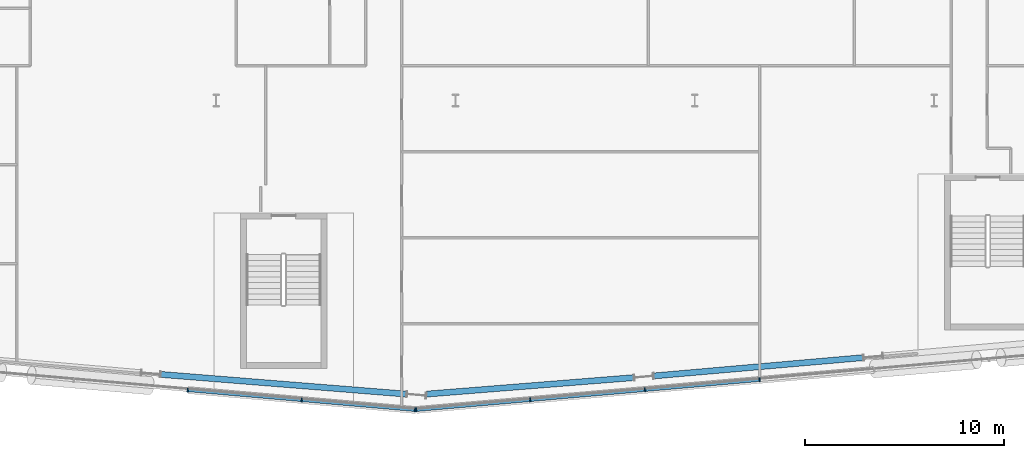
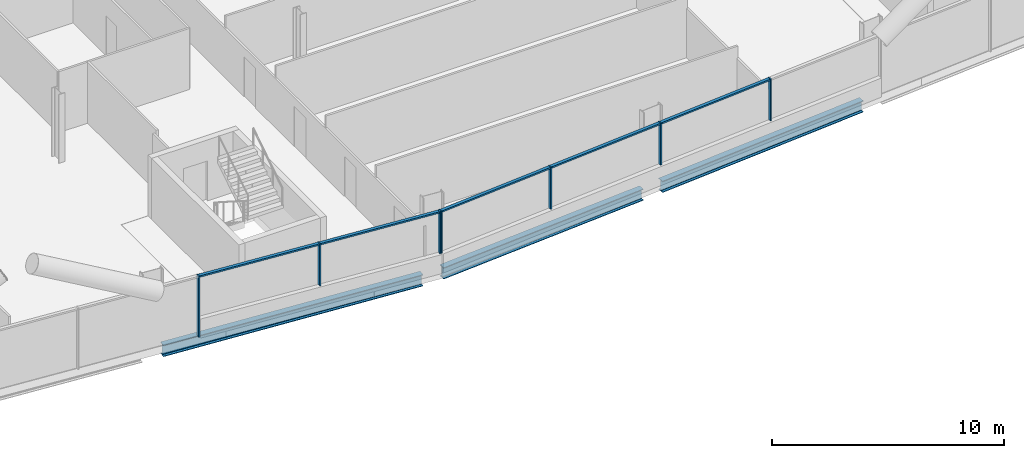
# One storey, part 6 of 27: 12 members, 3 beams, 2 elements without a shape of their own.
"""IFC4 building model written with IfcOpenShell, lengths in metres."""

from ifc_helpers import new_model, si_unit, direction, frame, origin, origin_2d, place, context, subcontext, project, spatial, rectangle, i_section, extrude, material, material_profile, profile_set, type_object, element, aggregate, save


model = new_model("IFC4")

# Units and contexts
model_context = context("Model", 3, precision=1e-05, world=origin(), true_north=direction((0.0, 1.0)))
body_context = subcontext(model_context, "Body", "Model", "MODEL_VIEW")
ifc_project = project(units=[si_unit("LENGTHUNIT", "METRE"), si_unit("AREAUNIT", "SQUARE_METRE"), si_unit("VOLUMEUNIT", "CUBIC_METRE"), si_unit("PLANEANGLEUNIT", "RADIAN"), si_unit("MASSUNIT", "GRAM", prefix="KILO")], contexts=[model_context])

# Site, building, storey
site_placement = place(None, origin())
site = spatial("IfcSite", under=ifc_project, at=site_placement, CompositionType="ELEMENT")
building_placement = place(site_placement, origin())
building = spatial("IfcBuilding", under=site, at=building_placement, Name="Wharfspan Tower", CompositionType="ELEMENT")
storey_placement = place(building_placement, frame((0.0, 0.0, 73.899902)))
storey = spatial("IfcBuildingStorey", under=building, at=storey_placement, Name="L15", CompositionType="ELEMENT", Elevation=73.899902)

# Beams
ifc_material_1 = material(Name="Steel S355J2", Category="steel")
ifc_material_profile_1 = material_profile(ifc_material_1, i_section(OverallWidth=0.300049, OverallDepth=0.600098, WebThickness=0.015381, FlangeThickness=0.030029, FilletRadius=0.0271, at=origin_2d()))
ifc_profile_set_1 = profile_set([ifc_material_profile_1], Name="Steel S355J2")
beam_type = type_object("IfcBeamType", Name="Edge beam HEB 600", PredefinedType="SPANDREL", material=ifc_profile_set_1)
beam_1_placement = place(storey_placement, frame((33.222656, -2.240479, -0.699951), z_axis=(0.996802, -0.079913, 0.0), x_axis=(0.079913, 0.996802, 0.0)))
element("IfcBeam", 1, at=beam_1_placement, inside=storey, type_object=beam_type, Name="Edge beam S1 L15 PS1.3 to PS1.4", PredefinedType="SPANDREL", context=body_context, shape_type="SweptSolid", body=[
    extrude(i_section(OverallWidth=0.300049, OverallDepth=0.600098, WebThickness=0.015381, FlangeThickness=0.030029, FilletRadius=0.0271, at=origin_2d()), origin(), (0.0, 0.0, 1.0), 12.36084),
])
beam_2_placement = place(storey_placement, frame((46.547852, -3.228027, -0.699951), z_axis=(0.996848, 0.079335, 0.0), x_axis=(-0.079335, 0.996848, 0.0)))
element("IfcBeam", 2, at=beam_2_placement, inside=storey, type_object=beam_type, Name="Edge beam S2 L15 PS1.4 to PS2.1", PredefinedType="SPANDREL", context=body_context, shape_type="SweptSolid", body=[
    extrude(i_section(OverallWidth=0.300049, OverallDepth=0.600098, WebThickness=0.015381, FlangeThickness=0.030029, FilletRadius=0.0271, at=origin_2d()), origin(), (0.0, 0.0, 1.0), 10.429199),
])
beam_3_placement = place(storey_placement, frame((57.940674, -2.317383, -0.699951), z_axis=(0.996195, 0.087155, 0.0), x_axis=(-0.087155, 0.996195, 0.0)))
element("IfcBeam", 3, at=beam_3_placement, inside=storey, type_object=beam_type, Name="Edge beam S2 L15 PS2.1 to PS2.2", PredefinedType="SPANDREL", context=body_context, shape_type="SweptSolid", body=[
    extrude(i_section(OverallWidth=0.300049, OverallDepth=0.600098, WebThickness=0.015381, FlangeThickness=0.030029, FilletRadius=0.0271, at=origin_2d()), origin(), (0.0, 0.0, 1.0), 10.543701),
])

# Curtain wall, members
ifc_material_2 = material(Name="Aluminium 6063-T6", Category="aluminium")
curtain_wall_type = type_object("IfcCurtainWallType", Name="CURTAIN WALL FACETED FRONT", PredefinedType="NOTDEFINED", material=ifc_material_2)
curtain_wall_1_placement = place(storey_placement, origin())
curtain_wall_1 = element("IfcCurtainWall", 4, at=curtain_wall_1_placement, inside=storey, type_object=curtain_wall_type, Name="Curtain wall S1", PredefinedType="NOTDEFINED")
ifc_material_profile_2 = material_profile(ifc_material_2, rectangle(XDim=0.199951, YDim=0.060059, at=origin_2d()))
ifc_profile_set_2 = profile_set([ifc_material_profile_2], Name="Aluminium 6063-T6")
member_type_1 = type_object("IfcMemberType", Name="MULLION FACETED FRONT 60x200", PredefinedType="MULLION", material=ifc_profile_set_2)
member_1_placement = place(storey_placement, frame((34.571533, -3.024658, 0.0), z_axis=(0.0, 0.0, 1.0), x_axis=(0.087156, 0.996197, 0.0)))
member_1 = element("IfcMember", 5, at=member_1_placement, type_object=member_type_1, Name="Curtain wall S1 mullion 6", PredefinedType="MULLION", context=body_context, shape_type="SweptSolid", body=[
    extrude(rectangle(XDim=0.199951, YDim=0.060059, at=origin_2d()), origin(), (0.0, 0.0, 1.0), 3.200195),
])
member_2_placement = place(storey_placement, frame((40.285645, -3.524658, 1.0), z_axis=(0.0, 0.0, 1.0), x_axis=(0.087156, 0.996197, 0.0)))
member_2 = element("IfcMember", 6, at=member_2_placement, type_object=member_type_1, Name="Curtain wall S1 mullion 7", PredefinedType="MULLION", context=body_context, shape_type="SweptSolid", body=[
    extrude(rectangle(XDim=0.199951, YDim=0.060059, at=origin_2d()), origin(), (0.0, 0.0, 1.0), 2.200195),
])
member_3_placement = place(storey_placement, frame((45.970215, -4.021973, 1.0), z_axis=(0.0, 0.0, 1.0), x_axis=(0.087156, 0.996197, 0.0)))
member_3 = element("IfcMember", 7, at=member_3_placement, type_object=member_type_1, Name="Curtain wall S1 mullion 8", PredefinedType="MULLION", context=body_context, shape_type="SweptSolid", body=[
    extrude(rectangle(XDim=0.199951, YDim=0.060059, at=origin_2d()), origin(), (0.0, 0.0, 1.0), 2.200195),
])

curtain_wall_2_placement = place(storey_placement, origin())
curtain_wall_2 = element("IfcCurtainWall", 8, at=curtain_wall_2_placement, inside=storey, type_object=curtain_wall_type, Name="Curtain wall S2", PredefinedType="NOTDEFINED")
member_4_placement = place(storey_placement, frame((46.029785, -4.021973, 1.0), z_axis=(0.0, 0.0, 1.0), x_axis=(-0.087156, 0.996197, 0.0)))
member_4 = element("IfcMember", 9, at=member_4_placement, type_object=member_type_1, Name="Curtain wall S2 mullion 1", PredefinedType="MULLION", context=body_context, shape_type="SweptSolid", body=[
    extrude(rectangle(XDim=0.199951, YDim=0.060059, at=origin_2d()), origin(), (0.0, 0.0, 1.0), 2.200195),
])
member_5_placement = place(storey_placement, frame((51.75, -3.521484, 1.0), z_axis=(0.0, 0.0, 1.0), x_axis=(-0.087156, 0.996197, 0.0)))
member_5 = element("IfcMember", 10, at=member_5_placement, type_object=member_type_1, Name="Curtain wall S2 mullion 2", PredefinedType="MULLION", context=body_context, shape_type="SweptSolid", body=[
    extrude(rectangle(XDim=0.199951, YDim=0.060059, at=origin_2d()), origin(), (0.0, 0.0, 1.0), 2.200195),
])
member_6_placement = place(storey_placement, frame((57.5, -3.018311, 1.0), z_axis=(0.0, 0.0, 1.0), x_axis=(-0.087156, 0.996197, 0.0)))
member_6 = element("IfcMember", 11, at=member_6_placement, type_object=member_type_1, Name="Curtain wall S2 mullion 3", PredefinedType="MULLION", context=body_context, shape_type="SweptSolid", body=[
    extrude(rectangle(XDim=0.199951, YDim=0.060059, at=origin_2d()), origin(), (0.0, 0.0, 1.0), 2.200195),
])
member_7_placement = place(storey_placement, frame((63.25, -2.515381, 1.0), z_axis=(0.0, 0.0, 1.0), x_axis=(-0.087156, 0.996197, 0.0)))
member_7 = element("IfcMember", 12, at=member_7_placement, type_object=member_type_1, Name="Curtain wall S2 mullion 4", PredefinedType="MULLION", context=body_context, shape_type="SweptSolid", body=[
    extrude(rectangle(XDim=0.199951, YDim=0.060059, at=origin_2d()), origin(), (0.0, 0.0, 1.0), 2.200195),
])

# Member
ifc_material_profile_3 = material_profile(ifc_material_2, rectangle(XDim=0.159912, YDim=0.080078, at=origin_2d()))
ifc_profile_set_3 = profile_set([ifc_material_profile_3], Name="Aluminium 6063-T6")
member_type_2 = type_object("IfcMemberType", Name="TRANSOM FACETED FRONT 80x160", PredefinedType="USERDEFINED", material=ifc_profile_set_3)
member_8_placement = place(storey_placement, frame((34.601318, -3.027344, 3.160156), z_axis=(0.996196, -0.087142, 0.0), x_axis=(0.087142, 0.996196, 0.0)))
member_8 = element("IfcMember", 13, at=member_8_placement, type_object=member_type_2, Name="Curtain wall S1 transom 6", ObjectType="TRANSOM", PredefinedType="USERDEFINED", context=body_context, shape_type="SweptSolid", body=[
    extrude(rectangle(XDim=0.159912, YDim=0.080078, at=origin_2d()), origin(), (0.0, 0.0, 1.0), 5.676025),
])

member_9_placement = place(storey_placement, frame((40.315674, -3.5271, 3.160156), z_axis=(0.996193, -0.087174, 0.0), x_axis=(0.087174, 0.996193, 0.0)))
member_9 = element("IfcMember", 14, at=member_9_placement, type_object=member_type_2, Name="Curtain wall S1 transom 7", ObjectType="TRANSOM", PredefinedType="USERDEFINED", context=body_context, shape_type="SweptSolid", body=[
    extrude(rectangle(XDim=0.159912, YDim=0.080078, at=origin_2d()), origin(), (0.0, 0.0, 1.0), 5.645996),
])

aggregate(curtain_wall_1, [member_1, member_2, member_3, member_8, member_9])

member_10_placement = place(storey_placement, frame((46.059814, -4.019287, 3.160156), z_axis=(0.996193, 0.08718, 0.0), x_axis=(-0.08718, 0.996193, 0.0)))
member_10 = element("IfcMember", 15, at=member_10_placement, type_object=member_type_2, Name="Curtain wall S2 transom 1", ObjectType="TRANSOM", PredefinedType="USERDEFINED", context=body_context, shape_type="SweptSolid", body=[
    extrude(rectangle(XDim=0.159912, YDim=0.080078, at=origin_2d()), origin(), (0.0, 0.0, 1.0), 5.682129),
])

member_11_placement = place(storey_placement, frame((51.779785, -3.518799, 3.160156), z_axis=(0.996195, 0.087148, 0.0), x_axis=(-0.087148, 0.996195, 0.0)))
member_11 = element("IfcMember", 16, at=member_11_placement, type_object=member_type_2, Name="Curtain wall S2 transom 2", ObjectType="TRANSOM", PredefinedType="USERDEFINED", context=body_context, shape_type="SweptSolid", body=[
    extrude(rectangle(XDim=0.159912, YDim=0.080078, at=origin_2d()), origin(), (0.0, 0.0, 1.0), 5.712158),
])

member_12_placement = place(storey_placement, frame((57.529785, -3.015625, 3.160156), z_axis=(0.996195, 0.087148, 0.0), x_axis=(-0.087148, 0.996195, 0.0)))
member_12 = element("IfcMember", 17, at=member_12_placement, type_object=member_type_2, Name="Curtain wall S2 transom 3", ObjectType="TRANSOM", PredefinedType="USERDEFINED", context=body_context, shape_type="SweptSolid", body=[
    extrude(rectangle(XDim=0.159912, YDim=0.080078, at=origin_2d()), origin(), (0.0, 0.0, 1.0), 5.712158),
])

aggregate(curtain_wall_2, [member_4, member_5, member_6, member_7, member_10, member_11, member_12])

save(model, "model.ifc")
